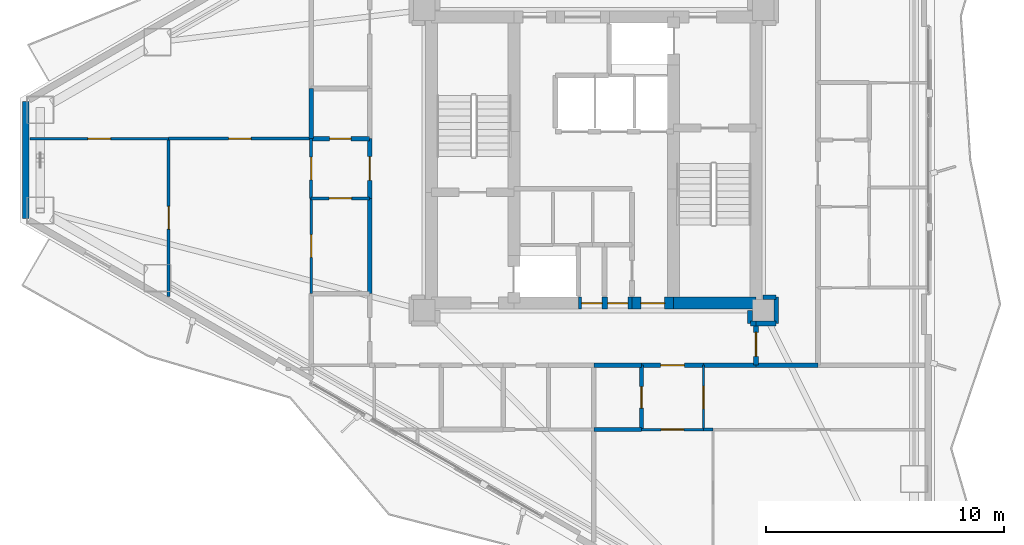
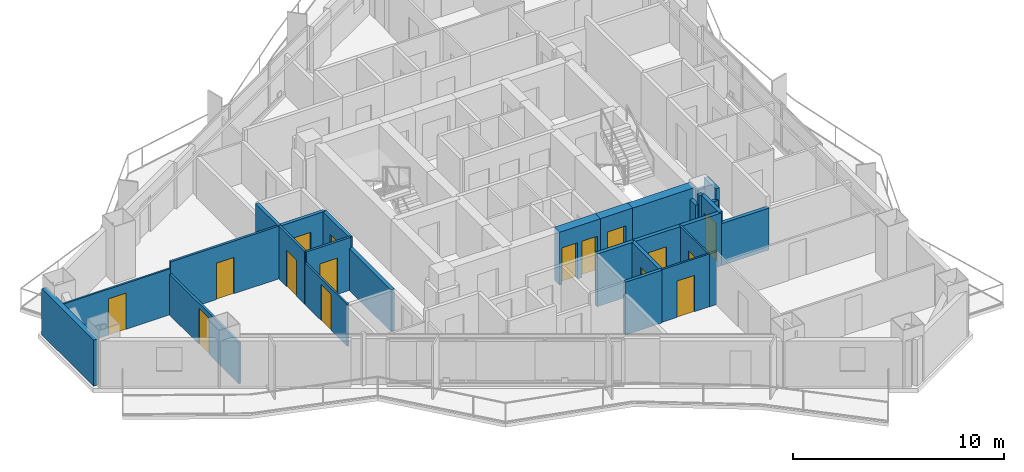
# One storey, part 16 of 22: 29 walls, 16 doors, 16 openings.
"""IFC4 building model written with IfcOpenShell, lengths in metres."""

from ifc_helpers import new_model, si_unit, direction, frame, frame_2d, origin, place, context, subcontext, project, spatial, rectangle, extrude, material, layer, layer_set, type_object, element, fill, save


model = new_model("IFC4")

# Units and contexts
model_context = context("Model", 3, precision=1e-05, world=origin(), true_north=direction((0.0, 1.0)))
body_context = subcontext(model_context, "Body", "Model", "MODEL_VIEW")
ifc_project = project(units=[si_unit("LENGTHUNIT", "METRE"), si_unit("AREAUNIT", "SQUARE_METRE"), si_unit("VOLUMEUNIT", "CUBIC_METRE"), si_unit("PLANEANGLEUNIT", "RADIAN"), si_unit("MASSUNIT", "GRAM", prefix="KILO")], contexts=[model_context])

# Site, building, storey
site_placement = place(None, origin())
site = spatial("IfcSite", under=ifc_project, at=site_placement, CompositionType="ELEMENT")
building_placement = place(site_placement, origin())
building = spatial("IfcBuilding", under=site, at=building_placement, Name="Mersakhor Tower and Convention Hall", CompositionType="ELEMENT")
storey_placement = place(building_placement, frame((0.0, 0.0, 76.800048828125)))
storey = spatial("IfcBuildingStorey", under=building, at=storey_placement, Name="L20", CompositionType="ELEMENT", Elevation=76.800048828125)

# Wall
ifc_material_1 = material(Name="Precast concrete C45/55", Category="concrete")
ifc_layer_1 = layer(ifc_material_1, 0.27490234375)
ifc_layer_set_1 = layer_set([ifc_layer_1], Name="Precast concrete C45/55")
wall_type_1 = type_object("IfcWallType", Name="WL-EXT-275", PredefinedType="SOLIDWALL", material=ifc_layer_set_1)
wall_1_placement = place(storey_placement, frame((5.186767578125, 24.292724609375, 0.0), z_axis=(0.0, 0.0, 1.0), x_axis=(0.0, 1.0, 0.0)))
element("IfcWall", 1, at=wall_1_placement, inside=storey, type_object=wall_type_1, Name="L20 Chamfer Braced Spandrel Wall C3", PredefinedType="SOLIDWALL", context=body_context, shape_type="SweptSolid", body=[
    extrude(rectangle(XDim=4.91455078125, YDim=0.27490234375, at=frame_2d((2.457275390625, 0.0))), origin(), (0.0, 0.0, 1.0), 2.669921875),
])

# Wall, opening, door
ifc_material_2 = material(Name="Moisture-resistant acoustic drywall studwork", Category="other")
ifc_layer_2 = layer(ifc_material_2, 0.175048828125)
ifc_layer_set_2 = layer_set([ifc_layer_2], Name="Moisture-resistant acoustic drywall studwork")
wall_type_2 = type_object("IfcWallType", Name="WL-PLM-175", PredefinedType="PLUMBINGWALL", material=ifc_layer_set_2)
wall_2_placement = place(storey_placement, frame((31.0, 15.449951171875, 0.0), z_axis=(0.0, 0.0, 1.0), x_axis=(0.0, 1.0, 0.0)))
wall_2 = element("IfcWall", 2, at=wall_2_placement, inside=storey, type_object=wall_type_2, Name="L20 Interior Partition Wall P-071", PredefinedType="PLUMBINGWALL", context=body_context, shape_type="SweptSolid", body=[
    extrude(rectangle(XDim=2.699951171875, YDim=0.175048828125, at=frame_2d((1.35009765625, 0.0))), origin(), (0.0, 0.0, 1.0), 3.050048828125),
])
opening_1_placement = place(wall_2_placement, frame((0.89990234375, 0.0, 0.0)))
opening_1 = element("IfcOpeningElement", 3, at=opening_1_placement, cuts=wall_2, Name="Opening WD-01", PredefinedType="OPENING", context=body_context, shape_type="SweptSolid", body=[
    extrude(rectangle(XDim=0.89990234375, YDim=2.10009765625, at=frame_2d((0.449951171875, 1.050048828125))), frame((0.0, 0.097412109375, 0.0), z_axis=(0.0, -1.0, 0.0), x_axis=(1.0, 0.0, 0.0)), (0.0, 0.0, 1.0), 0.195068359375),
])
ifc_material_3 = material(Name="Solid-core hardwood leaf in painted steel frame", Category="steel")
door_type_1 = type_object("IfcDoorType", Name="DR-INT-WET-090x210", OperationType="NOTDEFINED", PredefinedType="DOOR", material=ifc_material_3)
door_1_placement = place(opening_1_placement, origin())
door_1 = element("IfcDoor", 4, at=door_1_placement, inside=storey, type_object=door_type_1, Name="L20 L20 Flat S3 Apartment Hall to L20 Flat S3 Bathroom Door", OperationType="SINGLE_SWING_LEFT", OverallHeight=2.10009765625, OverallWidth=0.89990234375, PredefinedType="DOOR", context=body_context, shape_type="SweptSolid", body=[
    extrude(rectangle(XDim=0.89990234375, YDim=2.10009765625, at=frame_2d((0.449951171875, 1.050048828125))), frame((0.0, 0.02490234375, 0.0), z_axis=(0.0, -1.0, 0.0), x_axis=(1.0, 0.0, 0.0)), (0.0, 0.0, 1.0), 0.050048828125),
])
fill(opening_1, door_1)

wall_3_placement = place(storey_placement, frame((17.14990234375, 27.64990234375, 0.0), z_axis=(0.0, 0.0, 1.0), x_axis=(1.0, 0.0, 0.0)))
wall_3 = element("IfcWall", 5, at=wall_3_placement, inside=storey, type_object=wall_type_2, Name="L20 Interior Partition Wall P-074", PredefinedType="PLUMBINGWALL", context=body_context, shape_type="SweptSolid", body=[
    extrude(rectangle(XDim=2.4501953125, YDim=0.175048828125, at=frame_2d((1.22509765625, 0.0))), origin(), (0.0, 0.0, 1.0), 3.050048828125),
])
opening_2_placement = place(wall_3_placement, frame((0.77490234375, 0.0, 0.0)))
opening_2 = element("IfcOpeningElement", 6, at=opening_2_placement, cuts=wall_3, Name="Opening WD-01", PredefinedType="OPENING", context=body_context, shape_type="SweptSolid", body=[
    extrude(rectangle(XDim=0.89990234375, YDim=2.10009765625, at=frame_2d((0.449951171875, 1.050048828125))), frame((0.0, 0.097412109375, 0.0), z_axis=(0.0, -1.0, 0.0), x_axis=(1.0, 0.0, 0.0)), (0.0, 0.0, 1.0), 0.195068359375),
])
door_2_placement = place(opening_2_placement, origin())
door_2 = element("IfcDoor", 7, at=door_2_placement, inside=storey, type_object=door_type_1, Name="L20 L20 Flat W4 Apartment Hall to L20 Flat W4 Bathroom Door", OperationType="SINGLE_SWING_RIGHT", OverallHeight=2.10009765625, OverallWidth=0.89990234375, PredefinedType="DOOR", context=body_context, shape_type="SweptSolid", body=[
    extrude(rectangle(XDim=0.89990234375, YDim=2.10009765625, at=frame_2d((0.449951171875, 1.050048828125))), frame((0.0, 0.02490234375, 0.0), z_axis=(0.0, -1.0, 0.0), x_axis=(1.0, 0.0, 0.0)), (0.0, 0.0, 1.0), 0.050048828125),
])
fill(opening_2, door_2)

# Walls
wall_4_placement = place(storey_placement, frame((31.0, 15.449951171875, 0.0), z_axis=(0.0, 0.0, 1.0), x_axis=(-1.0, 0.0, 0.0)))
element("IfcWall", 8, at=wall_4_placement, inside=storey, type_object=wall_type_2, Name="L20 Interior Partition Wall P-089", PredefinedType="PLUMBINGWALL", context=body_context, shape_type="SweptSolid", body=[
    extrude(rectangle(XDim=2.0, YDim=0.175048828125, at=frame_2d((1.0, 0.0))), origin(), (0.0, 0.0, 1.0), 3.050048828125),
])
wall_5_placement = place(storey_placement, frame((17.14990234375, 27.64990234375, 0.0), z_axis=(0.0, 0.0, 1.0), x_axis=(0.0, 1.0, 0.0)))
element("IfcWall", 9, at=wall_5_placement, inside=storey, type_object=wall_type_2, Name="L20 Interior Partition Wall P-094", PredefinedType="PLUMBINGWALL", context=body_context, shape_type="SweptSolid", body=[
    extrude(rectangle(XDim=2.10009765625, YDim=0.175048828125, at=frame_2d((1.050048828125, 0.0))), origin(), (0.0, 0.0, 1.0), 3.050048828125),
])

# Wall, opening, door
ifc_material_4 = material(Name="Lightweight gypsum partition", Category="other")
ifc_layer_3 = layer(ifc_material_4, 0.10009765625)
ifc_layer_set_3 = layer_set([ifc_layer_3], Name="Lightweight gypsum partition")
wall_type_3 = type_object("IfcWallType", Name="WL-PRT-100", PredefinedType="PARTITIONING", material=ifc_layer_set_3)
wall_6_placement = place(storey_placement, frame((33.60009765625, 15.449951171875, 0.0), z_axis=(0.0, 0.0, 1.0), x_axis=(-1.0, 0.0, 0.0)))
wall_6 = element("IfcWall", 10, at=wall_6_placement, inside=storey, type_object=wall_type_3, Name="L20 Interior Partition Wall P-070", PredefinedType="PARTITIONING", context=body_context, shape_type="SweptSolid", body=[
    extrude(rectangle(XDim=2.60009765625, YDim=0.10009765625, at=frame_2d((1.300048828125, 0.0))), origin(), (0.0, 0.0, 1.0), 3.050048828125),
])
opening_3_placement = place(wall_6_placement, frame((0.824951171875, 0.0, 0.0)))
opening_3 = element("IfcOpeningElement", 11, at=opening_3_placement, cuts=wall_6, Name="Opening RD-01", PredefinedType="OPENING", context=body_context, shape_type="SweptSolid", body=[
    extrude(rectangle(XDim=0.949951171875, YDim=2.10009765625, at=frame_2d((0.47509765625, 1.050048828125))), frame((0.0, 0.06005859375, 0.0), z_axis=(0.0, -1.0, 0.0), x_axis=(1.0, 0.0, 0.0)), (0.0, 0.0, 1.0), 0.1201171875),
])
ifc_material_5 = material(Name="Solid-core hardwood leaf in painted steel frame", Category="steel")
door_type_2 = type_object("IfcDoorType", Name="DR-INT-RM-095x210", OperationType="NOTDEFINED", PredefinedType="DOOR", material=ifc_material_5)
door_3_placement = place(opening_3_placement, origin())
door_3 = element("IfcDoor", 12, at=door_3_placement, inside=storey, type_object=door_type_2, Name="L20 L20 Flat S3 Apartment Hall to L20 Flat S3 Living and Dining Room Door", OperationType="SINGLE_SWING_LEFT", OverallHeight=2.10009765625, OverallWidth=0.949951171875, PredefinedType="DOOR", context=body_context, shape_type="SweptSolid", body=[
    extrude(rectangle(XDim=0.949951171875, YDim=2.10009765625, at=frame_2d((0.47509765625, 1.050048828125))), frame((0.0, 0.02490234375, 0.0), z_axis=(0.0, -1.0, 0.0), x_axis=(1.0, 0.0, 0.0)), (0.0, 0.0, 1.0), 0.050048828125),
])
fill(opening_3, door_3)

wall_7_placement = place(storey_placement, frame((33.60009765625, 18.14990234375, 0.0), z_axis=(0.0, 0.0, 1.0), x_axis=(0.0, -1.0, 0.0)))
wall_7 = element("IfcWall", 13, at=wall_7_placement, inside=storey, type_object=wall_type_3, Name="L20 Interior Partition Wall P-072", PredefinedType="PARTITIONING", context=body_context, shape_type="SweptSolid", body=[
    extrude(rectangle(XDim=2.699951171875, YDim=0.10009765625, at=frame_2d((1.35009765625, 0.0))), origin(), (0.0, 0.0, 1.0), 3.050048828125),
])
opening_4_placement = place(wall_7_placement, frame((0.875, 0.0, 0.0)))
opening_4 = element("IfcOpeningElement", 14, at=opening_4_placement, cuts=wall_7, Name="Opening RD-01", PredefinedType="OPENING", context=body_context, shape_type="SweptSolid", body=[
    extrude(rectangle(XDim=0.949951171875, YDim=2.10009765625, at=frame_2d((0.47509765625, 1.050048828125))), frame((0.0, 0.06005859375, 0.0), z_axis=(0.0, -1.0, 0.0), x_axis=(1.0, 0.0, 0.0)), (0.0, 0.0, 1.0), 0.1201171875),
])
door_4_placement = place(opening_4_placement, origin())
door_4 = element("IfcDoor", 15, at=door_4_placement, inside=storey, type_object=door_type_2, Name="L20 L20 Flat S3 Apartment Hall to L20 Flat S3 Kitchen Door", OperationType="SINGLE_SWING_RIGHT", OverallHeight=2.10009765625, OverallWidth=0.949951171875, PredefinedType="DOOR", context=body_context, shape_type="SweptSolid", body=[
    extrude(rectangle(XDim=0.949951171875, YDim=2.10009765625, at=frame_2d((0.47509765625, 1.050048828125))), frame((0.0, 0.02490234375, 0.0), z_axis=(0.0, -1.0, 0.0), x_axis=(1.0, 0.0, 0.0)), (0.0, 0.0, 1.0), 0.050048828125),
])
fill(opening_4, door_4)

wall_8_placement = place(storey_placement, frame((17.14990234375, 21.14990234375, 0.0), z_axis=(0.0, 0.0, 1.0), x_axis=(0.0, 1.0, 0.0)))
wall_8 = element("IfcWall", 16, at=wall_8_placement, inside=storey, type_object=wall_type_3, Name="L20 Interior Partition Wall P-096", PredefinedType="PARTITIONING", context=body_context, shape_type="SweptSolid", body=[
    extrude(rectangle(XDim=4.0, YDim=0.10009765625, at=frame_2d((2.0, 0.0))), origin(), (0.0, 0.0, 1.0), 2.4228515625),
])
opening_5_placement = place(wall_8_placement, frame((1.52490234375, 0.0, 0.0)))
opening_5 = element("IfcOpeningElement", 17, at=opening_5_placement, cuts=wall_8, Name="Opening RD-01", PredefinedType="OPENING", context=body_context, shape_type="SweptSolid", body=[
    extrude(rectangle(XDim=0.949951171875, YDim=2.10009765625, at=frame_2d((0.47509765625, 1.050048828125))), frame((0.0, 0.06005859375, 0.0), z_axis=(0.0, -1.0, 0.0), x_axis=(1.0, 0.0, 0.0)), (0.0, 0.0, 1.0), 0.1201171875),
])
door_5_placement = place(opening_5_placement, origin())
door_5 = element("IfcDoor", 18, at=door_5_placement, inside=storey, type_object=door_type_2, Name="L20 L20 Flat W4 Kitchen to L20 Flat W4 Dining Room Door", OperationType="SINGLE_SWING_LEFT", OverallHeight=2.10009765625, OverallWidth=0.949951171875, PredefinedType="DOOR", context=body_context, shape_type="SweptSolid", body=[
    extrude(rectangle(XDim=0.949951171875, YDim=2.10009765625, at=frame_2d((0.47509765625, 1.050048828125))), frame((0.0, 0.02490234375, 0.0), z_axis=(0.0, -1.0, 0.0), x_axis=(1.0, 0.0, 0.0)), (0.0, 0.0, 1.0), 0.050048828125),
])
fill(opening_5, door_5)

wall_9_placement = place(storey_placement, frame((11.169921875, 27.64990234375, 0.0), z_axis=(0.0, 0.0, 1.0), x_axis=(-1.0, 0.0, 0.0)))
wall_9 = element("IfcWall", 19, at=wall_9_placement, inside=storey, type_object=wall_type_3, Name="L20 Interior Partition Wall P-134", PredefinedType="PARTITIONING", context=body_context, shape_type="SweptSolid", body=[
    extrude(rectangle(XDim=5.82177734375, YDim=0.10009765625, at=frame_2d((2.910888671875, 0.0))), origin(), (0.0, 0.0, 1.0), 2.660400390625),
])
opening_6_placement = place(wall_9_placement, frame((2.435791015625, 0.0, 0.0)))
opening_6 = element("IfcOpeningElement", 20, at=opening_6_placement, cuts=wall_9, Name="Opening RD-01", PredefinedType="OPENING", context=body_context, shape_type="SweptSolid", body=[
    extrude(rectangle(XDim=0.949951171875, YDim=2.10009765625, at=frame_2d((0.47509765625, 1.050048828125))), frame((0.0, 0.06005859375, 0.0), z_axis=(0.0, -1.0, 0.0), x_axis=(1.0, 0.0, 0.0)), (0.0, 0.0, 1.0), 0.1201171875),
])
door_6_placement = place(opening_6_placement, origin())
door_6 = element("IfcDoor", 21, at=door_6_placement, inside=storey, type_object=door_type_2, Name="L20 L20 Flat W4 Living and Dining Room to L20 Flat W4 Master Bedroom Door", OperationType="SINGLE_SWING_LEFT", OverallHeight=2.10009765625, OverallWidth=0.949951171875, PredefinedType="DOOR", context=body_context, shape_type="SweptSolid", body=[
    extrude(rectangle(XDim=0.949951171875, YDim=2.10009765625, at=frame_2d((0.47509765625, 1.050048828125))), frame((0.0, 0.02490234375, 0.0), z_axis=(0.0, -1.0, 0.0), x_axis=(1.0, 0.0, 0.0)), (0.0, 0.0, 1.0), 0.050048828125),
])
fill(opening_6, door_6)

ifc_material_6 = material(Name="Gypsum board acoustic partition", Category="other")
ifc_layer_4 = layer(ifc_material_6, 0.125)
ifc_layer_set_4 = layer_set([ifc_layer_4], Name="Gypsum board acoustic partition")
wall_type_4 = type_object("IfcWallType", Name="WL-PRT-125", PredefinedType="PARTITIONING", material=ifc_layer_set_4)
wall_10_placement = place(storey_placement, frame((17.14990234375, 25.14990234375, 0.0), z_axis=(0.0, 0.0, 1.0), x_axis=(0.0, 1.0, 0.0)))
wall_10 = element("IfcWall", 22, at=wall_10_placement, inside=storey, type_object=wall_type_4, Name="L20 Interior Partition Wall P-073", PredefinedType="PARTITIONING", context=body_context, shape_type="SweptSolid", body=[
    extrude(rectangle(XDim=2.5, YDim=0.125, at=frame_2d((1.25, 0.0))), origin(), (0.0, 0.0, 1.0), 3.050048828125),
])
opening_7_placement = place(wall_10_placement, frame((0.77490234375, 0.0, 0.0)))
opening_7 = element("IfcOpeningElement", 23, at=opening_7_placement, cuts=wall_10, Name="Opening RD-01", PredefinedType="OPENING", context=body_context, shape_type="SweptSolid", body=[
    extrude(rectangle(XDim=0.949951171875, YDim=2.10009765625, at=frame_2d((0.47509765625, 1.050048828125))), frame((0.0, 0.072509765625, 0.0), z_axis=(0.0, -1.0, 0.0), x_axis=(1.0, 0.0, 0.0)), (0.0, 0.0, 1.0), 0.14501953125),
])
door_7_placement = place(opening_7_placement, origin())
door_7 = element("IfcDoor", 24, at=door_7_placement, inside=storey, type_object=door_type_2, Name="L20 L20 Flat W4 Apartment Hall to L20 Flat W4 Dining Room Door", OperationType="SINGLE_SWING_RIGHT", OverallHeight=2.10009765625, OverallWidth=0.949951171875, PredefinedType="DOOR", context=body_context, shape_type="SweptSolid", body=[
    extrude(rectangle(XDim=0.949951171875, YDim=2.10009765625, at=frame_2d((0.47509765625, 1.050048828125))), frame((0.0, 0.02490234375, 0.0), z_axis=(0.0, -1.0, 0.0), x_axis=(1.0, 0.0, 0.0)), (0.0, 0.0, 1.0), 0.050048828125),
])
fill(opening_7, door_7)

wall_11_placement = place(storey_placement, frame((19.60009765625, 25.14990234375, 0.0), z_axis=(0.0, 0.0, 1.0), x_axis=(-1.0, 0.0, 0.0)))
wall_11 = element("IfcWall", 25, at=wall_11_placement, inside=storey, type_object=wall_type_4, Name="L20 Interior Partition Wall P-075", PredefinedType="PARTITIONING", context=body_context, shape_type="SweptSolid", body=[
    extrude(rectangle(XDim=2.4501953125, YDim=0.125, at=frame_2d((1.22509765625, 0.0))), origin(), (0.0, 0.0, 1.0), 3.050048828125),
])
opening_8_placement = place(wall_11_placement, frame((0.75, 0.0, 0.0)))
opening_8 = element("IfcOpeningElement", 26, at=opening_8_placement, cuts=wall_11, Name="Opening RD-01", PredefinedType="OPENING", context=body_context, shape_type="SweptSolid", body=[
    extrude(rectangle(XDim=0.949951171875, YDim=2.10009765625, at=frame_2d((0.47509765625, 1.050048828125))), frame((0.0, 0.072509765625, 0.0), z_axis=(0.0, -1.0, 0.0), x_axis=(1.0, 0.0, 0.0)), (0.0, 0.0, 1.0), 0.14501953125),
])
door_8_placement = place(opening_8_placement, origin())
door_8 = element("IfcDoor", 27, at=door_8_placement, inside=storey, type_object=door_type_2, Name="L20 L20 Flat W4 Apartment Hall to L20 Flat W4 Kitchen Door", OperationType="SINGLE_SWING_LEFT", OverallHeight=2.10009765625, OverallWidth=0.949951171875, PredefinedType="DOOR", context=body_context, shape_type="SweptSolid", body=[
    extrude(rectangle(XDim=0.949951171875, YDim=2.10009765625, at=frame_2d((0.47509765625, 1.050048828125))), frame((0.0, 0.02490234375, 0.0), z_axis=(0.0, -1.0, 0.0), x_axis=(1.0, 0.0, 0.0)), (0.0, 0.0, 1.0), 0.050048828125),
])
fill(opening_8, door_8)

# Wall
wall_12_placement = place(storey_placement, frame((34.0, 15.449951171875, 0.0), z_axis=(0.0, 0.0, 1.0), x_axis=(-1.0, 0.0, 0.0)))
element("IfcWall", 28, at=wall_12_placement, inside=storey, type_object=wall_type_4, Name="L20 Interior Partition Wall P-093", PredefinedType="PARTITIONING", context=body_context, shape_type="SweptSolid", body=[
    extrude(rectangle(XDim=0.39990234375, YDim=0.125, at=frame_2d((0.199951171875, 0.0))), origin(), (0.0, 0.0, 1.0), 3.050048828125),
])

# Wall, opening, door
wall_13_placement = place(storey_placement, frame((17.14990234375, 27.64990234375, 0.0), z_axis=(0.0, 0.0, 1.0), x_axis=(-1.0, 0.0, 0.0)))
wall_13 = element("IfcWall", 29, at=wall_13_placement, inside=storey, type_object=wall_type_4, Name="L20 Interior Partition Wall P-133", PredefinedType="PARTITIONING", context=body_context, shape_type="SweptSolid", body=[
    extrude(rectangle(XDim=5.97998046875, YDim=0.125, at=frame_2d((2.989990234375, 0.0))), origin(), (0.0, 0.0, 1.0), 3.050048828125),
])
opening_9_placement = place(wall_13_placement, frame((2.514892578125, 0.0, 0.0)))
opening_9 = element("IfcOpeningElement", 30, at=opening_9_placement, cuts=wall_13, Name="Opening RD-01", PredefinedType="OPENING", context=body_context, shape_type="SweptSolid", body=[
    extrude(rectangle(XDim=0.949951171875, YDim=2.10009765625, at=frame_2d((0.47509765625, 1.050048828125))), frame((0.0, 0.072509765625, 0.0), z_axis=(0.0, -1.0, 0.0), x_axis=(1.0, 0.0, 0.0)), (0.0, 0.0, 1.0), 0.14501953125),
])
door_9_placement = place(opening_9_placement, origin())
door_9 = element("IfcDoor", 31, at=door_9_placement, inside=storey, type_object=door_type_2, Name="L20 L20 Flat W4 Living and Dining Room to L20 Flat W4 Dining Room Door", OperationType="SINGLE_SWING_RIGHT", OverallHeight=2.10009765625, OverallWidth=0.949951171875, PredefinedType="DOOR", context=body_context, shape_type="SweptSolid", body=[
    extrude(rectangle(XDim=0.949951171875, YDim=2.10009765625, at=frame_2d((0.47509765625, 1.050048828125))), frame((0.0, 0.02490234375, 0.0), z_axis=(0.0, -1.0, 0.0), x_axis=(1.0, 0.0, 0.0)), (0.0, 0.0, 1.0), 0.050048828125),
])
fill(opening_9, door_9)

wall_14_placement = place(storey_placement, frame((11.169921875, 27.64990234375, 0.0), z_axis=(0.0, 0.0, 1.0), x_axis=(0.0, -1.0, 0.0)))
wall_14 = element("IfcWall", 32, at=wall_14_placement, inside=storey, type_object=wall_type_4, Name="L20 Interior Partition Wall P-135", PredefinedType="PARTITIONING", context=body_context, shape_type="SweptSolid", body=[
    extrude(rectangle(XDim=6.625, YDim=0.125, at=frame_2d((3.3125, 0.0))), origin(), (0.0, 0.0, 1.0), 2.364990234375),
])
opening_10_placement = place(wall_14_placement, frame((2.837646484375, 0.0, 0.0)))
opening_10 = element("IfcOpeningElement", 33, at=opening_10_placement, cuts=wall_14, Name="Opening RD-01", PredefinedType="OPENING", context=body_context, shape_type="SweptSolid", body=[
    extrude(rectangle(XDim=0.949951171875, YDim=2.10009765625, at=frame_2d((0.47509765625, 1.050048828125))), frame((0.0, 0.072509765625, 0.0), z_axis=(0.0, -1.0, 0.0), x_axis=(1.0, 0.0, 0.0)), (0.0, 0.0, 1.0), 0.14501953125),
])
door_10_placement = place(opening_10_placement, origin())
door_10 = element("IfcDoor", 34, at=door_10_placement, inside=storey, type_object=door_type_2, Name="L20 L20 Flat W4 Master Bedroom to L20 Flat W4 Dining Room Door", OperationType="SINGLE_SWING_LEFT", OverallHeight=2.10009765625, OverallWidth=0.949951171875, PredefinedType="DOOR", context=body_context, shape_type="SweptSolid", body=[
    extrude(rectangle(XDim=0.949951171875, YDim=2.10009765625, at=frame_2d((0.47509765625, 1.050048828125))), frame((0.0, 0.02490234375, 0.0), z_axis=(0.0, -1.0, 0.0), x_axis=(1.0, 0.0, 0.0)), (0.0, 0.0, 1.0), 0.050048828125),
])
fill(opening_10, door_10)

# Walls
ifc_material_7 = material(Name="Acoustic concrete blockwork and gypsum board", Category="masonry")
ifc_layer_5 = layer(ifc_material_7, 0.199951171875)
ifc_layer_set_5 = layer_set([ifc_layer_5], Name="Acoustic concrete blockwork and gypsum board")
wall_type_5 = type_object("IfcWallType", Name="WL-PRT-200", PredefinedType="PARTITIONING", material=ifc_layer_set_5)
wall_15_placement = place(storey_placement, frame((35.550048828125, 20.449951171875, 0.0), z_axis=(0.0, 0.0, 1.0), x_axis=(0.0, -1.0, 0.0)))
element("IfcWall", 35, at=wall_15_placement, inside=storey, type_object=wall_type_5, Name="L20 Interior Partition Wall P-021", PredefinedType="PARTITIONING", context=body_context, shape_type="SweptSolid", body=[
    extrude(rectangle(XDim=0.550048828125, YDim=0.199951171875, at=frame_2d((0.27490234375, 0.0))), origin(), (0.0, 0.0, 1.0), 2.498291015625),
])
wall_16_placement = place(storey_placement, frame((35.580078125, 19.89990234375, 0.0), z_axis=(0.0, 0.0, 1.0), x_axis=(1.0, 0.0, 0.0)))
element("IfcWall", 36, at=wall_16_placement, inside=storey, type_object=wall_type_5, Name="L20 Interior Partition Wall P-022", PredefinedType="PARTITIONING", context=body_context, shape_type="SweptSolid", body=[
    extrude(rectangle(XDim=0.219970703125, YDim=0.199951171875, at=frame_2d((0.10986328125, 0.0))), origin(), (0.0, 0.0, 1.0), 3.050048828125),
])

# Wall, opening, door
wall_17_placement = place(storey_placement, frame((35.800048828125, 19.89990234375, 0.0), z_axis=(0.0, 0.0, 1.0), x_axis=(0.0, -1.0, 0.0)))
wall_17 = element("IfcWall", 37, at=wall_17_placement, inside=storey, type_object=wall_type_5, Name="L20 Interior Partition Wall P-023", PredefinedType="PARTITIONING", context=body_context, shape_type="SweptSolid", body=[
    extrude(rectangle(XDim=1.75, YDim=0.199951171875, at=frame_2d((0.875, 0.0))), origin(), (0.0, 0.0, 1.0), 3.050048828125),
])
opening_11_placement = place(wall_17_placement, frame((0.375, 0.0, 0.0)))
opening_11 = element("IfcOpeningElement", 38, at=opening_11_placement, cuts=wall_17, Name="Opening FD-01", PredefinedType="OPENING", context=body_context, shape_type="SweptSolid", body=[
    extrude(rectangle(XDim=1.0, YDim=2.14990234375, at=frame_2d((0.5, 1.074951171875))), frame((0.0, 0.10986328125, 0.0), z_axis=(0.0, -1.0, 0.0), x_axis=(1.0, 0.0, 0.0)), (0.0, 0.0, 1.0), 0.219970703125),
])
ifc_material_8 = material(Name="Fire-rated hardwood leaf and painted steel frame", Category="steel")
door_type_3 = type_object("IfcDoorType", Name="DR-INT-FLT-100x215", OperationType="NOTDEFINED", PredefinedType="DOOR", material=ifc_material_8)
door_11_placement = place(opening_11_placement, origin())
door_11 = element("IfcDoor", 39, at=door_11_placement, inside=storey, type_object=door_type_3, Name="L20 Ring Corridor Fire Door", OperationType="SINGLE_SWING_LEFT", OverallHeight=2.14990234375, OverallWidth=1.0, PredefinedType="DOOR", context=body_context, shape_type="SweptSolid", body=[
    extrude(rectangle(XDim=1.0, YDim=2.14990234375, at=frame_2d((0.5, 1.074951171875))), frame((0.0, 0.02490234375, 0.0), z_axis=(0.0, -1.0, 0.0), x_axis=(1.0, 0.0, 0.0)), (0.0, 0.0, 1.0), 0.050048828125),
])
fill(opening_11, door_11)

# Wall
wall_18_placement = place(storey_placement, frame((35.800048828125, 18.14990234375, 0.0), z_axis=(0.0, 0.0, 1.0), x_axis=(-1.0, 0.0, 0.0)))
element("IfcWall", 40, at=wall_18_placement, inside=storey, type_object=wall_type_5, Name="L20 Interior Partition Wall P-024", PredefinedType="PARTITIONING", context=body_context, shape_type="SweptSolid", body=[
    extrude(rectangle(XDim=2.199951171875, YDim=0.199951171875, at=frame_2d((1.10009765625, 0.0))), origin(), (0.0, 0.0, 1.0), 3.050048828125),
])

# Wall, opening, door
wall_19_placement = place(storey_placement, frame((33.60009765625, 18.14990234375, 0.0), z_axis=(0.0, 0.0, 1.0), x_axis=(-1.0, 0.0, 0.0)))
wall_19 = element("IfcWall", 41, at=wall_19_placement, inside=storey, type_object=wall_type_5, Name="L20 Interior Partition Wall P-025", PredefinedType="PARTITIONING", context=body_context, shape_type="SweptSolid", body=[
    extrude(rectangle(XDim=2.60009765625, YDim=0.199951171875, at=frame_2d((1.300048828125, 0.0))), origin(), (0.0, 0.0, 1.0), 3.050048828125),
])
opening_12_placement = place(wall_19_placement, frame((0.800048828125, 0.0, 0.0)))
opening_12 = element("IfcOpeningElement", 42, at=opening_12_placement, cuts=wall_19, Name="Opening FD-01", PredefinedType="OPENING", context=body_context, shape_type="SweptSolid", body=[
    extrude(rectangle(XDim=1.0, YDim=2.14990234375, at=frame_2d((0.5, 1.074951171875))), frame((0.0, 0.10986328125, 0.0), z_axis=(0.0, -1.0, 0.0), x_axis=(1.0, 0.0, 0.0)), (0.0, 0.0, 1.0), 0.219970703125),
])
door_12_placement = place(opening_12_placement, origin())
door_12 = element("IfcDoor", 43, at=door_12_placement, inside=storey, type_object=door_type_3, Name="L20 Apartment Entrance Door (Residential Ring Corridor to L20 Flat S3 Apartment Hall)", OperationType="SINGLE_SWING_RIGHT", OverallHeight=2.14990234375, OverallWidth=1.0, PredefinedType="DOOR", context=body_context, shape_type="SweptSolid", body=[
    extrude(rectangle(XDim=1.0, YDim=2.14990234375, at=frame_2d((0.5, 1.074951171875))), frame((0.0, 0.02490234375, 0.0), z_axis=(0.0, -1.0, 0.0), x_axis=(1.0, 0.0, 0.0)), (0.0, 0.0, 1.0), 0.050048828125),
])
fill(opening_12, door_12)

# Walls
wall_20_placement = place(storey_placement, frame((31.0, 18.14990234375, 0.0), z_axis=(0.0, 0.0, 1.0), x_axis=(-1.0, 0.0, 0.0)))
element("IfcWall", 44, at=wall_20_placement, inside=storey, type_object=wall_type_5, Name="L20 Interior Partition Wall P-026", PredefinedType="PARTITIONING", context=body_context, shape_type="SweptSolid", body=[
    extrude(rectangle(XDim=2.0, YDim=0.199951171875, at=frame_2d((1.0, 0.0))), origin(), (0.0, 0.0, 1.0), 3.050048828125),
])
wall_21_placement = place(storey_placement, frame((19.60009765625, 21.14990234375, 0.0), z_axis=(0.0, 0.0, 1.0), x_axis=(0.0, 1.0, 0.0)))
element("IfcWall", 45, at=wall_21_placement, inside=storey, type_object=wall_type_5, Name="L20 Interior Partition Wall P-033", PredefinedType="PARTITIONING", context=body_context, shape_type="SweptSolid", body=[
    extrude(rectangle(XDim=4.0, YDim=0.199951171875, at=frame_2d((2.0, 0.0))), origin(), (0.0, 0.0, 1.0), 2.4228515625),
])

# Wall, opening, door
wall_22_placement = place(storey_placement, frame((19.60009765625, 25.14990234375, 0.0), z_axis=(0.0, 0.0, 1.0), x_axis=(0.0, 1.0, 0.0)))
wall_22 = element("IfcWall", 46, at=wall_22_placement, inside=storey, type_object=wall_type_5, Name="L20 Interior Partition Wall P-034", PredefinedType="PARTITIONING", context=body_context, shape_type="SweptSolid", body=[
    extrude(rectangle(XDim=2.5, YDim=0.199951171875, at=frame_2d((1.25, 0.0))), origin(), (0.0, 0.0, 1.0), 3.050048828125),
])
opening_13_placement = place(wall_22_placement, frame((0.75, 0.0, 0.0)))
opening_13 = element("IfcOpeningElement", 47, at=opening_13_placement, cuts=wall_22, Name="Opening FD-01", PredefinedType="OPENING", context=body_context, shape_type="SweptSolid", body=[
    extrude(rectangle(XDim=1.0, YDim=2.14990234375, at=frame_2d((0.5, 1.074951171875))), frame((0.0, 0.10986328125, 0.0), z_axis=(0.0, -1.0, 0.0), x_axis=(1.0, 0.0, 0.0)), (0.0, 0.0, 1.0), 0.219970703125),
])
door_13_placement = place(opening_13_placement, origin())
door_13 = element("IfcDoor", 48, at=door_13_placement, inside=storey, type_object=door_type_3, Name="L20 Apartment Entrance Door (Residential Ring Corridor to L20 Flat W4 Apartment Hall)", OperationType="SINGLE_SWING_LEFT", OverallHeight=2.14990234375, OverallWidth=1.0, PredefinedType="DOOR", context=body_context, shape_type="SweptSolid", body=[
    extrude(rectangle(XDim=1.0, YDim=2.14990234375, at=frame_2d((0.5, 1.074951171875))), frame((0.0, 0.02490234375, 0.0), z_axis=(0.0, -1.0, 0.0), x_axis=(1.0, 0.0, 0.0)), (0.0, 0.0, 1.0), 0.050048828125),
])
fill(opening_13, door_13)

# Walls
wall_23_placement = place(storey_placement, frame((36.64990234375, 21.0, 0.0), z_axis=(0.0, 0.0, 1.0), x_axis=(-1.0, 0.0, 0.0)))
element("IfcWall", 49, at=wall_23_placement, inside=storey, type_object=wall_type_5, Name="L20 Interior Partition Wall P-053", PredefinedType="PARTITIONING", context=body_context, shape_type="SweptSolid", body=[
    extrude(rectangle(XDim=0.5498046875, YDim=0.199951171875, at=frame_2d((0.27490234375, 0.0))), origin(), (0.0, 0.0, 1.0), 2.498291015625),
])
wall_24_placement = place(storey_placement, frame((38.39990234375, 18.14990234375, 0.0), z_axis=(0.0, 0.0, 1.0), x_axis=(-1.0, 0.0, 0.0)))
element("IfcWall", 50, at=wall_24_placement, inside=storey, type_object=wall_type_5, Name="L20 Interior Partition Wall P-063", PredefinedType="PARTITIONING", context=body_context, shape_type="SweptSolid", body=[
    extrude(rectangle(XDim=2.599853515625, YDim=0.199951171875, at=frame_2d((1.2998046875, 0.0))), origin(), (0.0, 0.0, 1.0), 2.4228515625),
])
wall_25_placement = place(storey_placement, frame((35.800048828125, 19.89990234375, 0.0), z_axis=(0.0, 0.0, 1.0), x_axis=(1.0, 0.0, 0.0)))
element("IfcWall", 51, at=wall_25_placement, inside=storey, type_object=wall_type_5, Name="L20 Interior Partition Wall P-064", PredefinedType="PARTITIONING", context=body_context, shape_type="SweptSolid", body=[
    extrude(rectangle(XDim=0.849853515625, YDim=0.199951171875, at=frame_2d((0.4248046875, 0.0))), origin(), (0.0, 0.0, 1.0), 2.4228515625),
])
wall_26_placement = place(storey_placement, frame((36.64990234375, 19.89990234375, 0.0), z_axis=(0.0, 0.0, 1.0), x_axis=(0.0, 1.0, 0.0)))
element("IfcWall", 52, at=wall_26_placement, inside=storey, type_object=wall_type_5, Name="L20 Interior Partition Wall P-065", PredefinedType="PARTITIONING", context=body_context, shape_type="SweptSolid", body=[
    extrude(rectangle(XDim=1.10009765625, YDim=0.199951171875, at=frame_2d((0.550048828125, 0.0))), origin(), (0.0, 0.0, 1.0), 3.050048828125),
])
ifc_material_9 = material(Name="Concrete C70/85", Category="concrete")
ifc_layer_6 = layer(ifc_material_9, 0.5)
ifc_layer_set_6 = layer_set([ifc_layer_6], Name="Concrete C70/85")
wall_type_6 = type_object("IfcWallType", Name="WL-SHR-500", PredefinedType="SHEAR", material=ifc_layer_set_6)
wall_27_placement = place(storey_placement, frame((35.800048828125, 20.75, 0.0), z_axis=(0.0, 0.0, 1.0), x_axis=(-1.0, 0.0, 0.0)))
element("IfcWall", 53, at=wall_27_placement, inside=storey, type_object=wall_type_6, Name="L20 Core Wall CW-S1", PredefinedType="SHEAR", context=body_context, shape_type="SweptSolid", body=[
    extrude(rectangle(XDim=3.449951171875, YDim=0.5, at=frame_2d((1.72509765625, 0.0))), origin(), (0.0, 0.0, 1.0), 3.050048828125),
])

# Wall, opening, door
wall_28_placement = place(storey_placement, frame((32.35009765625, 20.75, 0.0), z_axis=(0.0, 0.0, 1.0), x_axis=(-1.0, 0.0, 0.0)))
wall_28 = element("IfcWall", 54, at=wall_28_placement, inside=storey, type_object=wall_type_6, Name="L20 Core Wall CW-S2A", PredefinedType="SHEAR", context=body_context, shape_type="SweptSolid", body=[
    extrude(rectangle(XDim=1.75, YDim=0.5, at=frame_2d((0.875, 0.0))), origin(), (0.0, 0.0, 1.0), 3.050048828125),
])
opening_14_placement = place(wall_28_placement, frame((0.375, 0.0, 0.0)))
opening_14 = element("IfcOpeningElement", 55, at=opening_14_placement, cuts=wall_28, Name="Opening CFD-01", PredefinedType="OPENING", context=body_context, shape_type="SweptSolid", body=[
    extrude(rectangle(XDim=1.0, YDim=2.14990234375, at=frame_2d((0.5, 1.074951171875))), frame((0.0, 0.260009765625, 0.0), z_axis=(0.0, -1.0, 0.0), x_axis=(1.0, 0.0, 0.0)), (0.0, 0.0, 1.0), 0.52001953125),
])
ifc_material_10 = material(Name="Fire-rated hardwood leaf and painted steel frame", Category="steel")
door_type_4 = type_object("IfcDoorType", Name="DR-CORE-FD-100x215", OperationType="NOTDEFINED", PredefinedType="DOOR", material=ifc_material_10)
door_14_placement = place(opening_14_placement, origin())
door_14 = element("IfcDoor", 56, at=door_14_placement, inside=storey, type_object=door_type_4, Name="L20 Lift Lobby South Corridor Door", OperationType="SINGLE_SWING_RIGHT", OverallHeight=2.14990234375, OverallWidth=1.0, PredefinedType="DOOR", context=body_context, shape_type="SweptSolid", body=[
    extrude(rectangle(XDim=1.0, YDim=2.14990234375, at=frame_2d((0.5, 1.074951171875))), frame((0.0, 0.02490234375, 0.0), z_axis=(0.0, -1.0, 0.0), x_axis=(1.0, 0.0, 0.0)), (0.0, 0.0, 1.0), 0.050048828125),
])
fill(opening_14, door_14)

# Wall, openings, doors
wall_29_placement = place(storey_placement, frame((30.60009765625, 20.75, 0.0), z_axis=(0.0, 0.0, 1.0), x_axis=(-1.0, 0.0, 0.0)))
wall_29 = element("IfcWall", 57, at=wall_29_placement, inside=storey, type_object=wall_type_6, Name="L20 Core Wall CW-S2B", PredefinedType="SHEAR", context=body_context, shape_type="SweptSolid", body=[
    extrude(rectangle(XDim=2.25, YDim=0.5, at=frame_2d((1.125, 0.0))), origin(), (0.0, 0.0, 1.0), 3.050048828125),
])
opening_15_placement = place(wall_29_placement, frame((1.2548828125, 0.0, 0.0)))
opening_15 = element("IfcOpeningElement", 58, at=opening_15_placement, cuts=wall_29, Name="Opening SVD-01", PredefinedType="OPENING", context=body_context, shape_type="SweptSolid", body=[
    extrude(rectangle(XDim=0.85009765625, YDim=2.10009765625, at=frame_2d((0.425048828125, 1.050048828125))), frame((0.0, 0.260009765625, 0.0), z_axis=(0.0, -1.0, 0.0), x_axis=(1.0, 0.0, 0.0)), (0.0, 0.0, 1.0), 0.52001953125),
])
opening_16_placement = place(wall_29_placement, frame((0.169921875, 0.0, 0.0)))
opening_16 = element("IfcOpeningElement", 59, at=opening_16_placement, cuts=wall_29, Name="Opening SVD-01", PredefinedType="OPENING", context=body_context, shape_type="SweptSolid", body=[
    extrude(rectangle(XDim=0.85009765625, YDim=2.10009765625, at=frame_2d((0.425048828125, 1.050048828125))), frame((0.0, 0.260009765625, 0.0), z_axis=(0.0, -1.0, 0.0), x_axis=(1.0, 0.0, 0.0)), (0.0, 0.0, 1.0), 0.52001953125),
])
ifc_material_11 = material(Name="Fire-rated hardwood leaf and painted steel frame", Category="steel")
door_type_5 = type_object("IfcDoorType", Name="DR-INT-SVC-085x210", OperationType="NOTDEFINED", PredefinedType="DOOR", material=ifc_material_11)
door_15_placement = place(opening_15_placement, origin())
door_15 = element("IfcDoor", 60, at=door_15_placement, inside=storey, type_object=door_type_5, Name="L20 Residential Ring Corridor to Sub-Metering Switch Room Door", OperationType="SINGLE_SWING_RIGHT", OverallHeight=2.10009765625, OverallWidth=0.85009765625, PredefinedType="DOOR", context=body_context, shape_type="SweptSolid", body=[
    extrude(rectangle(XDim=0.85009765625, YDim=2.10009765625, at=frame_2d((0.425048828125, 1.050048828125))), frame((0.0, 0.02490234375, 0.0), z_axis=(0.0, -1.0, 0.0), x_axis=(1.0, 0.0, 0.0)), (0.0, 0.0, 1.0), 0.050048828125),
])
fill(opening_15, door_15)
door_16_placement = place(opening_16_placement, origin())
door_16 = element("IfcDoor", 61, at=door_16_placement, inside=storey, type_object=door_type_5, Name="L20 Residential Ring Corridor to Core Maintenance Store Room Door", OperationType="SINGLE_SWING_LEFT", OverallHeight=2.10009765625, OverallWidth=0.85009765625, PredefinedType="DOOR", context=body_context, shape_type="SweptSolid", body=[
    extrude(rectangle(XDim=0.85009765625, YDim=2.10009765625, at=frame_2d((0.425048828125, 1.050048828125))), frame((0.0, 0.02490234375, 0.0), z_axis=(0.0, -1.0, 0.0), x_axis=(1.0, 0.0, 0.0)), (0.0, 0.0, 1.0), 0.050048828125),
])
fill(opening_16, door_16)

save(model, "model.ifc")
